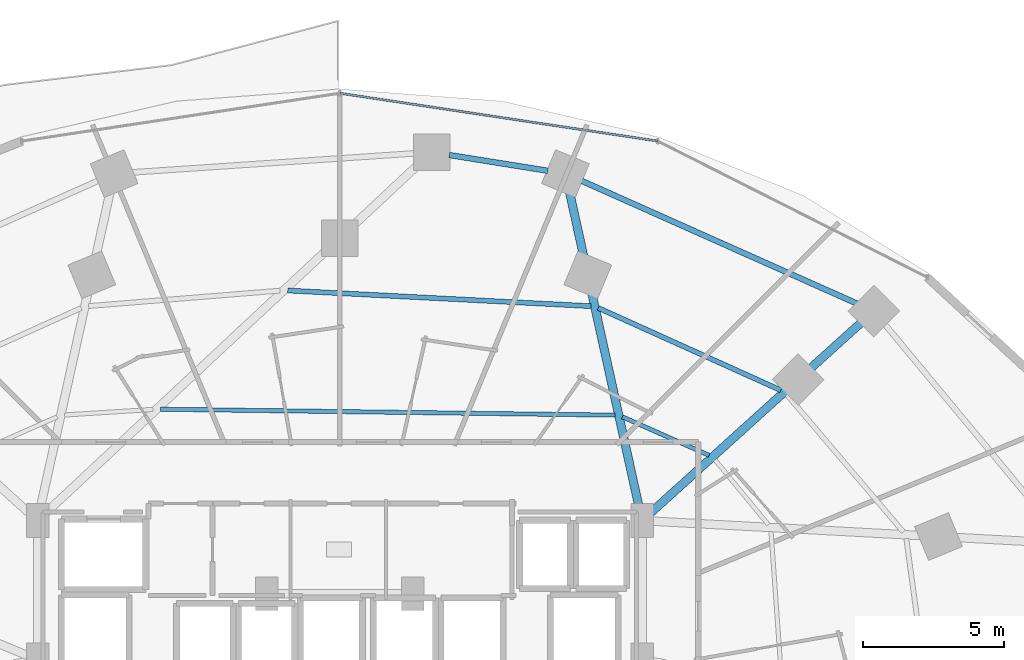
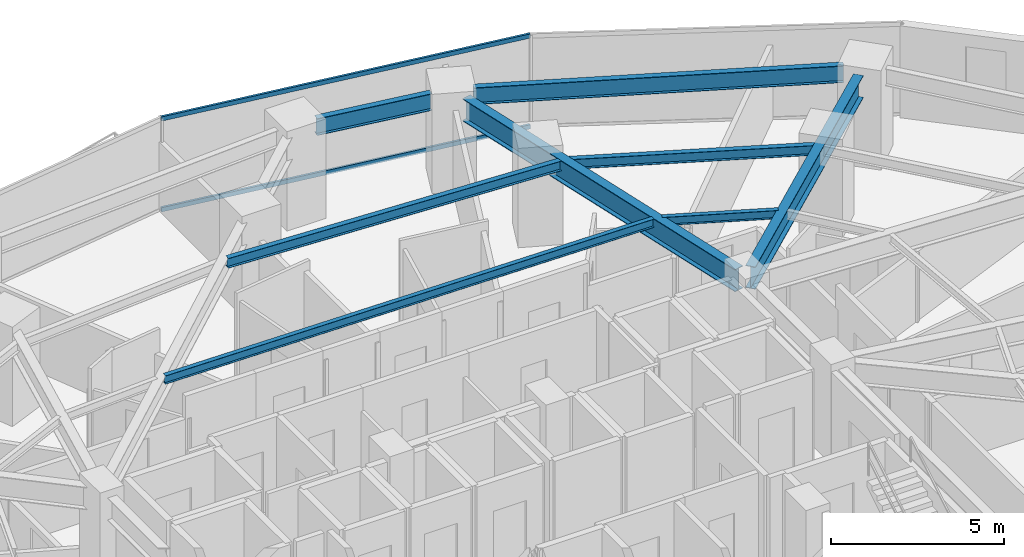
# One storey, part 23 of 36: 8 beams, 2 members, 1 element without a shape of its own.
"""IFC4 building model written with IfcOpenShell, lengths in metres."""

import ifcopenshell
import ifcopenshell.guid

model = None  # the IFC model being written
_history = None  # IfcOwnerHistory: only IFC2X3 demands one
_inside = {}  # id of a spatial element -> (the spatial element, [elements in it])
_under = {}  # id of a project, library or spatial element -> (it, [spatial elements below it])
_declared = {}  # id of a project -> (the project, [libraries it declares])
_typed = {}  # id of a type object -> (the type object, [elements of that type])
_made_of = {}  # id of a material, layer set ... -> (it, [elements and type objects made of it])


def new_model(schema):
    """Start an empty IFC model of exactly this schema.

    Asked for "IFC4X3", IfcOpenShell would pick the latest addendum, in which some entities
    have other attributes; the version numbers below select the first issue.
    IFC2X3 requires an IfcOwnerHistory on every rooted entity: one is made here for all.
    """
    global model, _history
    if schema == "IFC4X3":
        model = ifcopenshell.file(schema_version=(4, 3, 0, 0))
    else:
        model = ifcopenshell.file(schema=schema)
    _inside.clear()
    _under.clear()
    _declared.clear()
    _typed.clear()
    _made_of.clear()
    _history = None
    if model.schema == "IFC2X3":
        org = make("IfcOrganization", Name="unknown")
        user = make(
            "IfcPersonAndOrganization",
            ThePerson=make("IfcPerson", FamilyName="unknown"),
            TheOrganization=org,
        )
        app = make(
            "IfcApplication",
            ApplicationDeveloper=org,
            Version="unknown",
            ApplicationFullName="unknown",
            ApplicationIdentifier="unknown",
        )
        _history = make(
            "IfcOwnerHistory",
            OwningUser=user,
            OwningApplication=app,
            ChangeAction="ADDED",
            CreationDate=0,
        )
    return model


def make(cls, **values):
    """One entity of the class cls with the attributes given. An attribute that is None is left unset."""
    return model.create_entity(
        cls, **{name: value for name, value in values.items() if value is not None}
    )


def rooted(cls, **values):
    """An entity with a GlobalId (a new one), such as an element, a storey or a relation."""
    return make(cls, GlobalId=ifcopenshell.guid.new(), OwnerHistory=_history, **values)


def si_unit(unit_type, name, prefix=None):
    """IfcSIUnit, for example si_unit("LENGTHUNIT", "METRE", prefix="MILLI")."""
    return make("IfcSIUnit", UnitType=unit_type, Prefix=prefix, Name=name)


def assignment(units):
    """IfcUnitAssignment: the units of a project."""
    return None if units is None else make("IfcUnitAssignment", Units=units)


def point(xyz):
    """IfcCartesianPoint."""
    return None if xyz is None else make("IfcCartesianPoint", Coordinates=xyz)


def direction(xyz):
    """IfcDirection."""
    return None if xyz is None else make("IfcDirection", DirectionRatios=xyz)


def frame(location, z_axis=None, x_axis=None):
    """IfcAxis2Placement3D, a coordinate frame: its origin and axes. An axis left out is left unset."""
    return make(
        "IfcAxis2Placement3D",
        Location=point(location),
        Axis=direction(z_axis),
        RefDirection=direction(x_axis),
    )


def frame_2d(location, x_axis=None):
    """IfcAxis2Placement2D, a coordinate frame in the plane: its origin and x axis."""
    return make(
        "IfcAxis2Placement2D", Location=point(location), RefDirection=direction(x_axis)
    )


def origin():
    """The frame at (0, 0, 0) with its axes left unset."""
    return frame((0.0, 0.0, 0.0))


def origin_2d():
    """The frame at (0, 0) in the plane with its x axis left unset."""
    return frame_2d((0.0, 0.0))


def place(relative_to, where):
    """IfcLocalPlacement: puts the frame where relative to a parent placement (None: the world)."""
    return make(
        "IfcLocalPlacement", PlacementRelTo=relative_to, RelativePlacement=where
    )


def context(
    kind, dimensions, precision=None, world=None, true_north=None, identifier=None
):
    """IfcGeometricRepresentationContext, for example the 3D "Model" context."""
    return make(
        "IfcGeometricRepresentationContext",
        ContextIdentifier=identifier,
        ContextType=kind,
        CoordinateSpaceDimension=dimensions,
        Precision=precision,
        WorldCoordinateSystem=world,
        TrueNorth=true_north,
    )


def subcontext(parent, identifier, kind, view, scale=None):
    """IfcGeometricRepresentationSubContext, for example "Body" below "Model"."""
    return make(
        "IfcGeometricRepresentationSubContext",
        ContextIdentifier=identifier,
        ContextType=kind,
        ParentContext=parent,
        TargetScale=scale,
        TargetView=view,
    )


def project(units=None, contexts=None):
    """IfcProject with its units and contexts."""
    return rooted(
        "IfcProject",
        Name="project",
        RepresentationContexts=contexts,
        UnitsInContext=assignment(units),
    )


def spatial(cls, under=None, at=None, **own):
    """A site, building, storey or space (cls), placed at a placement, below another one or the project."""
    s = rooted(cls, ObjectPlacement=at, **own)
    if under is not None:
        _under.setdefault(under.id(), (under, []))[1].append(s)
    return s


def profile(cls, at=None, kind="AREA", **sizes):
    """A parametric profile (cls). Its sizes go by their IFC names, for example OverallWidth=200.0."""
    return make(cls, ProfileType=kind, Position=at, **sizes)


def hollow_rectangle(**sizes):
    """IfcRectangleHollowProfileDef."""
    return profile("IfcRectangleHollowProfileDef", **sizes)


def i_section(**sizes):
    """IfcIShapeProfileDef."""
    return profile("IfcIShapeProfileDef", **sizes)


def extrude(swept, where, along, depth):
    """IfcExtrudedAreaSolid: the profile swept, set in the frame where, extruded along a direction by depth."""
    return make(
        "IfcExtrudedAreaSolid",
        SweptArea=swept,
        Position=where,
        ExtrudedDirection=direction(along),
        Depth=depth,
    )


def shape(context_of_items, identifier, shape_type, items):
    """IfcShapeRepresentation: the items that make up one representation, for example the "Body"."""
    return make(
        "IfcShapeRepresentation",
        ContextOfItems=context_of_items,
        RepresentationIdentifier=identifier,
        RepresentationType=shape_type,
        Items=items,
    )


def material(Name=None, Category=None):
    """IfcMaterial."""
    return make("IfcMaterial", Name=Name, Category=Category)


def material_profile(
    of_material, cross_section, Name=None, Category=None, Priority=None
):
    """IfcMaterialProfile: a cross section and its material."""
    return make(
        "IfcMaterialProfile",
        Name=Name,
        Material=of_material,
        Profile=cross_section,
        Priority=Priority,
        Category=Category,
    )


def profile_set(profiles, Name=None, composite=None):
    """IfcMaterialProfileSet."""
    return make(
        "IfcMaterialProfileSet",
        Name=Name,
        MaterialProfiles=profiles,
        CompositeProfile=composite,
    )


def made_of(thing, what):
    """Note that an element or type object is made of a material, layer set ...; save() writes the relation."""
    if what is not None:
        _made_of.setdefault(what.id(), (what, []))[1].append(thing)
    return thing


def type_object(cls, material=None, **own):
    """A type object (cls), such as IfcWallType, which elements share."""
    return made_of(rooted(cls, **own), material)


def element(
    cls,
    number,
    at=None,
    inside=None,
    cuts=None,
    type_object=None,
    material=None,
    context=None,
    identifier="Body",
    shape_type=None,
    held_by="IfcProductDefinitionShape",
    body=None,
    shapes=None,
    **own,
):
    """One element of the class cls, such as IfcWall. Its Tag is "e" and its number.

    at: its placement. inside: the storey or other place that contains it. cuts: it is an
    opening in that element (IfcRelVoidsElement). A single representation is given by context,
    identifier, shape_type and body (its items); several are given by shapes. held_by: the class
    of the entity that holds the representations. save() writes the other relations.
    """
    e = rooted(cls, Tag="e%d" % number, ObjectPlacement=at, **own)
    if body is not None:
        shapes = [shape(context, identifier, shape_type, body)]
    if shapes is not None:
        e.Representation = make(held_by, Representations=shapes)
    if inside is not None:
        _inside.setdefault(inside.id(), (inside, []))[1].append(e)
    if cuts is not None:
        rooted(
            "IfcRelVoidsElement", RelatingBuildingElement=cuts, RelatedOpeningElement=e
        )
    if type_object is not None:
        _typed.setdefault(type_object.id(), (type_object, []))[1].append(e)
    return made_of(e, material)


def aggregate(whole, parts):
    """IfcRelAggregates: a whole, such as a stair, and the parts it consists of."""
    return rooted("IfcRelAggregates", RelatingObject=whole, RelatedObjects=parts)


def save(model, path):
    """Write the relations noted so far, then the file.

    IfcRelAggregates (storeys below a building ...), IfcRelContainedInSpatialStructure (elements
    in a storey), IfcRelDefinesByType, IfcRelAssociatesMaterial and IfcRelDeclares: one each for
    every whole, place, type object, material and project.
    """
    for whole, parts in _under.values():
        aggregate(whole, parts)
    for where, things in _inside.values():
        rooted(
            "IfcRelContainedInSpatialStructure",
            RelatedElements=things,
            RelatingStructure=where,
        )
    for kind, things in _typed.values():
        rooted("IfcRelDefinesByType", RelatedObjects=things, RelatingType=kind)
    for what, things in _made_of.values():
        rooted("IfcRelAssociatesMaterial", RelatedObjects=things, RelatingMaterial=what)
    for by, libraries in _declared.values():
        rooted("IfcRelDeclares", RelatingContext=by, RelatedDefinitions=libraries)
    model.write(path)


model = new_model("IFC4")

# Units and contexts
model_context = context("Model", 3, precision=1e-05, world=origin(), true_north=direction((0.0, 1.0)))
body_context = subcontext(model_context, "Body", "Model", "MODEL_VIEW")
ifc_project = project(units=[si_unit("LENGTHUNIT", "METRE"), si_unit("AREAUNIT", "SQUARE_METRE"), si_unit("VOLUMEUNIT", "CUBIC_METRE"), si_unit("PLANEANGLEUNIT", "RADIAN"), si_unit("MASSUNIT", "GRAM", prefix="KILO")], contexts=[model_context])

# Site, building, storey
site_placement = place(None, origin())
site = spatial("IfcSite", under=ifc_project, at=site_placement, CompositionType="ELEMENT")
building_placement = place(site_placement, origin())
building = spatial("IfcBuilding", under=site, at=building_placement, Name="Vorneva Point Tower", CompositionType="ELEMENT")
storey_placement = place(building_placement, frame((0.0, 0.0, 24.0)))
storey = spatial("IfcBuildingStorey", under=building, at=storey_placement, Name="L05", CompositionType="ELEMENT", Elevation=24.0)

# Beams
ifc_material_1 = material(Name="Steel S355", Category="steel")
ifc_material_profile_1 = material_profile(ifc_material_1, i_section(OverallWidth=0.300048828125, OverallDepth=0.7880859375, WebThickness=0.014404296875, FlangeThickness=0.02197265625, at=origin_2d()), Name="80Sh1")
ifc_profile_set_1 = profile_set([ifc_material_profile_1], Name="Steel S355")
beam_type_1 = type_object("IfcBeamType", Name="BM-GRD-80Sh1", PredefinedType="USERDEFINED", material=ifc_profile_set_1)
beam_1_placement = place(storey_placement, frame((56.52392578125, 40.172119140625, 2.845947265625), z_axis=(-0.742084477445, -0.67030636901, 0.0), x_axis=(0.67030636901, -0.742084477445, 0.0)))
element("IfcBeam", 1, at=beam_1_placement, inside=storey, type_object=beam_type_1, Name="L05 Radial Primary Girder 03", ObjectType="GIRDER", PredefinedType="USERDEFINED", context=body_context, shape_type="SweptSolid", body=[
    extrude(i_section(OverallWidth=0.300048828125, OverallDepth=0.7880859375, WebThickness=0.014404296875, FlangeThickness=0.02197265625, at=origin_2d()), origin(), (0.0, 0.0, 1.0), 10.135986328125),
])
beam_2_placement = place(storey_placement, frame((46.163818359375, 44.86865234375, 2.845947265625), z_axis=(0.215504784711, -0.976502784311, 0.0), x_axis=(0.976502784311, 0.215504784711, 0.0)))
element("IfcBeam", 2, at=beam_2_placement, inside=storey, type_object=beam_type_1, Name="L05 Radial Primary Girder 04", ObjectType="GIRDER", PredefinedType="USERDEFINED", context=body_context, shape_type="SweptSolid", body=[
    extrude(i_section(OverallWidth=0.300048828125, OverallDepth=0.7880859375, WebThickness=0.014404296875, FlangeThickness=0.02197265625, at=origin_2d()), origin(), (0.0, 0.0, 1.0), 11.66064453125),
])
ifc_material_profile_2 = material_profile(ifc_material_1, i_section(OverallWidth=0.14892578125, OverallDepth=0.298095703125, WebThickness=0.005615234375, FlangeThickness=0.008056640625, at=origin_2d()), Name="30B1")
ifc_profile_set_2 = profile_set([ifc_material_profile_2], Name="Steel S355")
beam_type_2 = type_object("IfcBeamType", Name="BM-JST-30B1", PredefinedType="JOIST", material=ifc_profile_set_2)
beam_3_placement = place(storey_placement, frame((51.1328125, 35.47216796875, 3.091064453125), z_axis=(-0.913898046964, 0.40594378891, 0.0), x_axis=(-0.40594378891, -0.913898046964, 0.0)))
element("IfcBeam", 3, at=beam_3_placement, inside=storey, type_object=beam_type_2, Name="L05 Secondary Floor Beam 2.03", PredefinedType="JOIST", context=body_context, shape_type="SweptSolid", body=[
    extrude(i_section(OverallWidth=0.14892578125, OverallDepth=0.298095703125, WebThickness=0.005615234375, FlangeThickness=0.008056640625, at=origin_2d()), origin(), (0.0, 0.0, 1.0), 3.37451171875),
])
beam_4_placement = place(storey_placement, frame((47.784912109375, 36.89990234375, 3.091064453125), z_axis=(-0.999914800713, 0.013053402451, 0.0), x_axis=(-0.013053402451, -0.999914800713, 0.0)))
element("IfcBeam", 4, at=beam_4_placement, inside=storey, type_object=beam_type_2, Name="L05 Secondary Floor Beam 2.04", PredefinedType="JOIST", context=body_context, shape_type="SweptSolid", body=[
    extrude(i_section(OverallWidth=0.14892578125, OverallDepth=0.298095703125, WebThickness=0.005615234375, FlangeThickness=0.008056640625, at=origin_2d()), origin(), (0.0, 0.0, 1.0), 16.15966796875),
])
ifc_material_profile_3 = material_profile(ifc_material_1, i_section(OverallWidth=0.174072265625, OverallDepth=0.345947265625, WebThickness=0.006103515625, FlangeThickness=0.009033203125, at=origin_2d()), Name="35B1")
ifc_profile_set_3 = profile_set([ifc_material_profile_3], Name="Steel S355")
beam_type_3 = type_object("IfcBeamType", Name="BM-SEC-35B1", PredefinedType="BEAM", material=ifc_profile_set_3)
beam_5_placement = place(storey_placement, frame((53.6904296875, 37.782958984375, 3.06689453125), z_axis=(-0.911588519067, 0.411103845646, 0.0), x_axis=(-0.411103845646, -0.911588519067, 0.0)))
element("IfcBeam", 5, at=beam_5_placement, inside=storey, type_object=beam_type_3, Name="L05 Secondary Floor Beam 1.03", PredefinedType="BEAM", context=body_context, shape_type="SweptSolid", body=[
    extrude(i_section(OverallWidth=0.174072265625, OverallDepth=0.345947265625, WebThickness=0.006103515625, FlangeThickness=0.009033203125, at=origin_2d()), origin(), (0.0, 0.0, 1.0), 7.12646484375),
])
beam_6_placement = place(storey_placement, frame((46.9306640625, 40.776611328125, 3.06689453125), z_axis=(-0.998669988287, 0.0515582631, 0.0), x_axis=(-0.0515582631, -0.998669988287, 0.0)))
element("IfcBeam", 6, at=beam_6_placement, inside=storey, type_object=beam_type_3, Name="L05 Secondary Floor Beam 1.04", PredefinedType="BEAM", context=body_context, shape_type="SweptSolid", body=[
    extrude(i_section(OverallWidth=0.174072265625, OverallDepth=0.345947265625, WebThickness=0.006103515625, FlangeThickness=0.009033203125, at=origin_2d()), origin(), (0.0, 0.0, 1.0), 10.79638671875),
])
ifc_material_profile_4 = material_profile(ifc_material_1, i_section(OverallWidth=0.198974609375, OverallDepth=0.595947265625, WebThickness=0.010009765625, FlangeThickness=0.014892578125, at=origin_2d()), Name="60B1")
ifc_profile_set_4 = profile_set([ifc_material_profile_4], Name="Steel S355")
beam_type_4 = type_object("IfcBeamType", Name="BM-SPN-60B1", PredefinedType="SPANDREL", material=ifc_profile_set_4)
beam_7_placement = place(storey_placement, frame((56.41748046875, 40.8583984375, 2.94189453125), z_axis=(-0.913329187558, 0.407222046499, 0.0), x_axis=(-0.407222046499, -0.913329187558, 0.0)))
element("IfcBeam", 7, at=beam_7_placement, inside=storey, type_object=beam_type_4, Name="L05 Perimeter Spandrel Ring Beam 03", PredefinedType="SPANDREL", context=body_context, shape_type="SweptSolid", body=[
    extrude(i_section(OverallWidth=0.198974609375, OverallDepth=0.595947265625, WebThickness=0.010009765625, FlangeThickness=0.014892578125, at=origin_2d()), origin(), (0.0, 0.0, 1.0), 10.742431640625),
])
beam_8_placement = place(storey_placement, frame((45.399169921875, 45.591796875, 2.94189453125), z_axis=(-0.987466356523, 0.157829638328, 0.0), x_axis=(-0.157829638328, -0.987466356523, 0.0)))
element("IfcBeam", 8, at=beam_8_placement, inside=storey, type_object=beam_type_4, Name="L05 Perimeter Spandrel Ring Beam 04", PredefinedType="SPANDREL", context=body_context, shape_type="SweptSolid", body=[
    extrude(i_section(OverallWidth=0.198974609375, OverallDepth=0.595947265625, WebThickness=0.010009765625, FlangeThickness=0.014892578125, at=origin_2d()), origin(), (0.0, 0.0, 1.0), 3.551513671875),
])

# Curtain wall, members
ifc_material_2 = material(Name="Pale anodised aluminium", Category="aluminium")
curtain_wall_type = type_object("IfcCurtainWallType", Name="CW-HTL-SYS", PredefinedType="NOTDEFINED", material=ifc_material_2)
curtain_wall_placement = place(storey_placement, origin())
curtain_wall = element("IfcCurtainWall", 9, at=curtain_wall_placement, inside=storey, type_object=curtain_wall_type, Name="L05 Unitised Curtain Wall CW-L05-R02", PredefinedType="NOTDEFINED")
ifc_material_profile_5 = material_profile(ifc_material_2, hollow_rectangle(XDim=0.074951171875, YDim=0.14990234375, WallThickness=0.00390625, at=origin_2d()), Name="AL-TRN 150x75x4")
ifc_profile_set_5 = profile_set([ifc_material_profile_5], Name="Pale anodised aluminium")
member_type = type_object("IfcMemberType", Name="CW-TRN-150", PredefinedType="USERDEFINED", material=ifc_profile_set_5)
member_1_placement = place(storey_placement, frame((49.308349609375, 46.648681640625, 0.02001953125), z_axis=(-0.988870014575, 0.148782036131, 0.0), x_axis=(-0.148782036131, -0.988870014575, 0.0)))
member_1 = element("IfcMember", 10, at=member_1_placement, type_object=member_type, Name="CW-L05-R02 Transom 02.1", ObjectType="TRANSOM", PredefinedType="USERDEFINED", context=body_context, shape_type="SweptSolid", body=[
    extrude(hollow_rectangle(XDim=0.074951171875, YDim=0.14990234375, WallThickness=0.00390625, at=origin_2d()), origin(), (0.0, 0.0, 1.0), 11.435546875),
])
member_2_placement = place(storey_placement, frame((49.308349609375, 46.648681640625, 3.219970703125), z_axis=(-0.988870014575, 0.148782036131, 0.0), x_axis=(-0.148782036131, -0.988870014575, 0.0)))
member_2 = element("IfcMember", 11, at=member_2_placement, type_object=member_type, Name="CW-L05-R02 Transom 02.2", ObjectType="TRANSOM", PredefinedType="USERDEFINED", context=body_context, shape_type="SweptSolid", body=[
    extrude(hollow_rectangle(XDim=0.074951171875, YDim=0.14990234375, WallThickness=0.00390625, at=origin_2d()), origin(), (0.0, 0.0, 1.0), 11.435546875),
])
aggregate(curtain_wall, [member_1, member_2])

save(model, "model.ifc")
